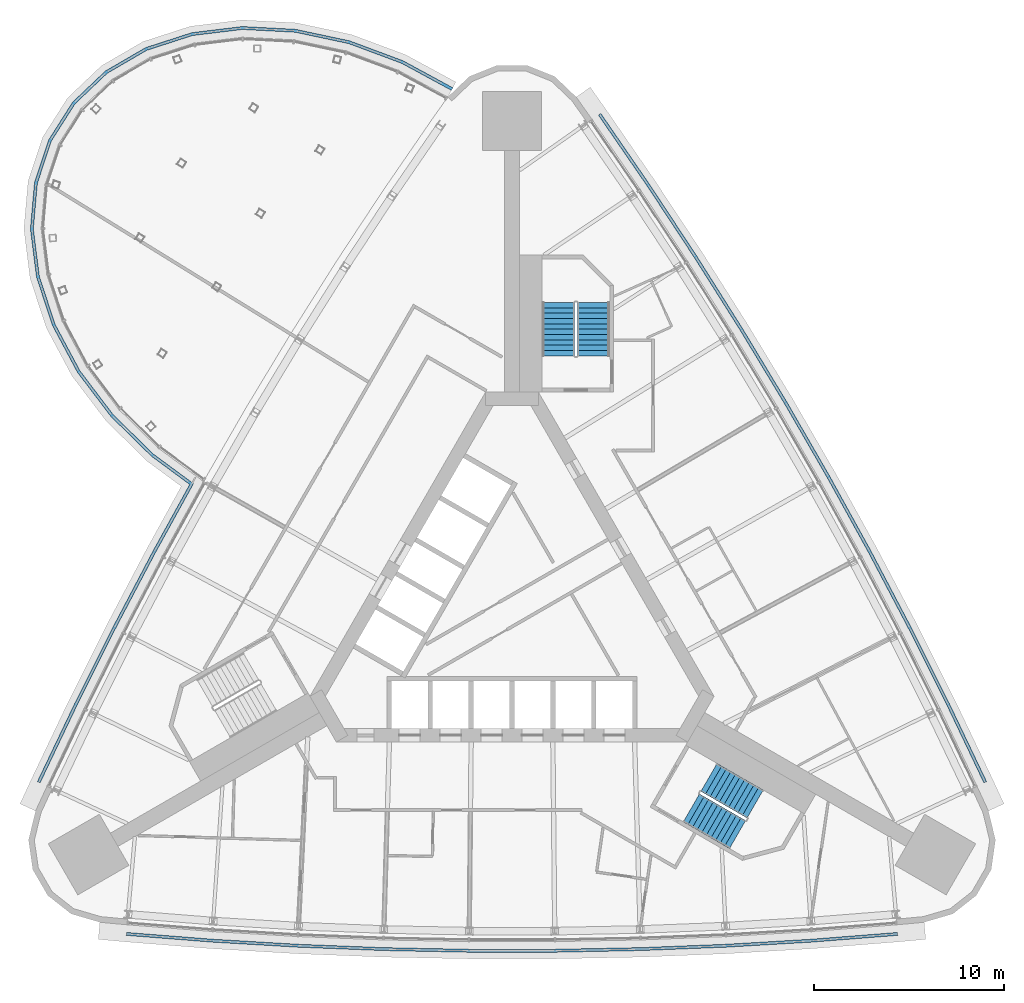
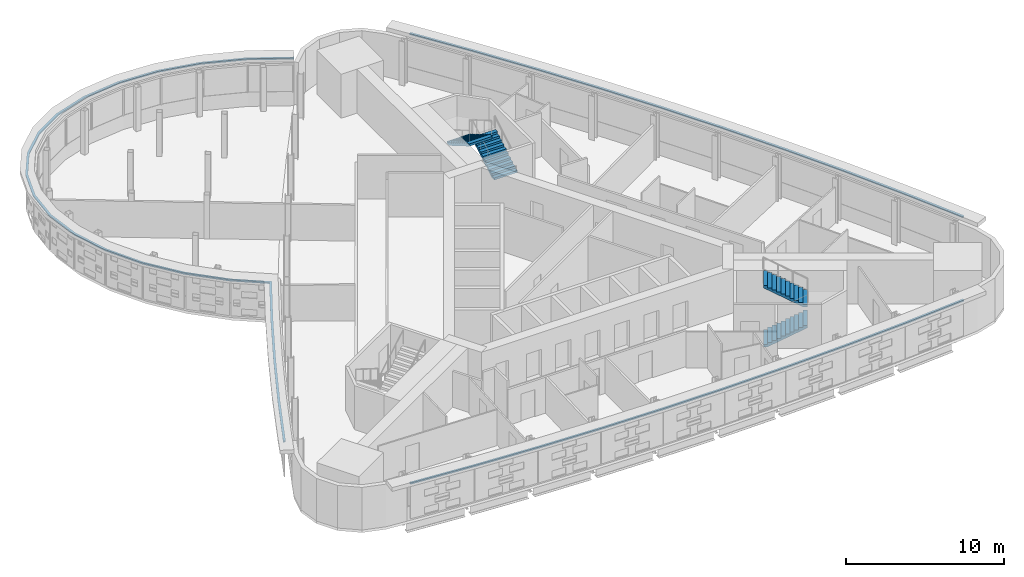
# One storey, part 13 of 16: 4 stair flights, 3 discrete accessories, 2 elements without a shape of their own.
"""IFC4 building model written with IfcOpenShell, lengths in metres."""

import ifcopenshell
import ifcopenshell.guid

model = None  # the IFC model being written
_history = None  # IfcOwnerHistory: only IFC2X3 demands one
_inside = {}  # id of a spatial element -> (the spatial element, [elements in it])
_under = {}  # id of a project, library or spatial element -> (it, [spatial elements below it])
_declared = {}  # id of a project -> (the project, [libraries it declares])
_typed = {}  # id of a type object -> (the type object, [elements of that type])
_made_of = {}  # id of a material, layer set ... -> (it, [elements and type objects made of it])


def new_model(schema):
    """Start an empty IFC model of exactly this schema.

    Asked for "IFC4X3", IfcOpenShell would pick the latest addendum, in which some entities
    have other attributes; the version numbers below select the first issue.
    IFC2X3 requires an IfcOwnerHistory on every rooted entity: one is made here for all.
    """
    global model, _history
    if schema == "IFC4X3":
        model = ifcopenshell.file(schema_version=(4, 3, 0, 0))
    else:
        model = ifcopenshell.file(schema=schema)
    _inside.clear()
    _under.clear()
    _declared.clear()
    _typed.clear()
    _made_of.clear()
    _history = None
    if model.schema == "IFC2X3":
        org = make("IfcOrganization", Name="unknown")
        user = make(
            "IfcPersonAndOrganization",
            ThePerson=make("IfcPerson", FamilyName="unknown"),
            TheOrganization=org,
        )
        app = make(
            "IfcApplication",
            ApplicationDeveloper=org,
            Version="unknown",
            ApplicationFullName="unknown",
            ApplicationIdentifier="unknown",
        )
        _history = make(
            "IfcOwnerHistory",
            OwningUser=user,
            OwningApplication=app,
            ChangeAction="ADDED",
            CreationDate=0,
        )
    return model


def make(cls, **values):
    """One entity of the class cls with the attributes given. An attribute that is None is left unset."""
    return model.create_entity(
        cls, **{name: value for name, value in values.items() if value is not None}
    )


def rooted(cls, **values):
    """An entity with a GlobalId (a new one), such as an element, a storey or a relation."""
    return make(cls, GlobalId=ifcopenshell.guid.new(), OwnerHistory=_history, **values)


def si_unit(unit_type, name, prefix=None):
    """IfcSIUnit, for example si_unit("LENGTHUNIT", "METRE", prefix="MILLI")."""
    return make("IfcSIUnit", UnitType=unit_type, Prefix=prefix, Name=name)


def assignment(units):
    """IfcUnitAssignment: the units of a project."""
    return None if units is None else make("IfcUnitAssignment", Units=units)


def point(xyz):
    """IfcCartesianPoint."""
    return None if xyz is None else make("IfcCartesianPoint", Coordinates=xyz)


def direction(xyz):
    """IfcDirection."""
    return None if xyz is None else make("IfcDirection", DirectionRatios=xyz)


def frame(location, z_axis=None, x_axis=None):
    """IfcAxis2Placement3D, a coordinate frame: its origin and axes. An axis left out is left unset."""
    return make(
        "IfcAxis2Placement3D",
        Location=point(location),
        Axis=direction(z_axis),
        RefDirection=direction(x_axis),
    )


def origin():
    """The frame at (0, 0, 0) with its axes left unset."""
    return frame((0.0, 0.0, 0.0))


def place(relative_to, where):
    """IfcLocalPlacement: puts the frame where relative to a parent placement (None: the world)."""
    return make(
        "IfcLocalPlacement", PlacementRelTo=relative_to, RelativePlacement=where
    )


def context(
    kind, dimensions, precision=None, world=None, true_north=None, identifier=None
):
    """IfcGeometricRepresentationContext, for example the 3D "Model" context."""
    return make(
        "IfcGeometricRepresentationContext",
        ContextIdentifier=identifier,
        ContextType=kind,
        CoordinateSpaceDimension=dimensions,
        Precision=precision,
        WorldCoordinateSystem=world,
        TrueNorth=true_north,
    )


def subcontext(parent, identifier, kind, view, scale=None):
    """IfcGeometricRepresentationSubContext, for example "Body" below "Model"."""
    return make(
        "IfcGeometricRepresentationSubContext",
        ContextIdentifier=identifier,
        ContextType=kind,
        ParentContext=parent,
        TargetScale=scale,
        TargetView=view,
    )


def project(units=None, contexts=None):
    """IfcProject with its units and contexts."""
    return rooted(
        "IfcProject",
        Name="project",
        RepresentationContexts=contexts,
        UnitsInContext=assignment(units),
    )


def spatial(cls, under=None, at=None, **own):
    """A site, building, storey or space (cls), placed at a placement, below another one or the project."""
    s = rooted(cls, ObjectPlacement=at, **own)
    if under is not None:
        _under.setdefault(under.id(), (under, []))[1].append(s)
    return s


def polyline(points):
    """IfcPolyline through the points."""
    return make("IfcPolyline", Points=[point(p) for p in points])


def outline(outer, holes=None, kind="AREA"):
    """IfcArbitraryClosedProfileDef: a profile drawn as a closed curve; with holes, ...WithVoids."""
    if holes is None:
        return make("IfcArbitraryClosedProfileDef", ProfileType=kind, OuterCurve=outer)
    return make(
        "IfcArbitraryProfileDefWithVoids",
        ProfileType=kind,
        OuterCurve=outer,
        InnerCurves=holes,
    )


def extrude(swept, where, along, depth):
    """IfcExtrudedAreaSolid: the profile swept, set in the frame where, extruded along a direction by depth."""
    return make(
        "IfcExtrudedAreaSolid",
        SweptArea=swept,
        Position=where,
        ExtrudedDirection=direction(along),
        Depth=depth,
    )


def shape(context_of_items, identifier, shape_type, items):
    """IfcShapeRepresentation: the items that make up one representation, for example the "Body"."""
    return make(
        "IfcShapeRepresentation",
        ContextOfItems=context_of_items,
        RepresentationIdentifier=identifier,
        RepresentationType=shape_type,
        Items=items,
    )


def material(Name=None, Category=None):
    """IfcMaterial."""
    return make("IfcMaterial", Name=Name, Category=Category)


def made_of(thing, what):
    """Note that an element or type object is made of a material, layer set ...; save() writes the relation."""
    if what is not None:
        _made_of.setdefault(what.id(), (what, []))[1].append(thing)
    return thing


def type_object(cls, material=None, **own):
    """A type object (cls), such as IfcWallType, which elements share."""
    return made_of(rooted(cls, **own), material)


def element(
    cls,
    number,
    at=None,
    inside=None,
    cuts=None,
    type_object=None,
    material=None,
    context=None,
    identifier="Body",
    shape_type=None,
    held_by="IfcProductDefinitionShape",
    body=None,
    shapes=None,
    **own,
):
    """One element of the class cls, such as IfcWall. Its Tag is "e" and its number.

    at: its placement. inside: the storey or other place that contains it. cuts: it is an
    opening in that element (IfcRelVoidsElement). A single representation is given by context,
    identifier, shape_type and body (its items); several are given by shapes. held_by: the class
    of the entity that holds the representations. save() writes the other relations.
    """
    e = rooted(cls, Tag="e%d" % number, ObjectPlacement=at, **own)
    if body is not None:
        shapes = [shape(context, identifier, shape_type, body)]
    if shapes is not None:
        e.Representation = make(held_by, Representations=shapes)
    if inside is not None:
        _inside.setdefault(inside.id(), (inside, []))[1].append(e)
    if cuts is not None:
        rooted(
            "IfcRelVoidsElement", RelatingBuildingElement=cuts, RelatedOpeningElement=e
        )
    if type_object is not None:
        _typed.setdefault(type_object.id(), (type_object, []))[1].append(e)
    return made_of(e, material)


def aggregate(whole, parts):
    """IfcRelAggregates: a whole, such as a stair, and the parts it consists of."""
    return rooted("IfcRelAggregates", RelatingObject=whole, RelatedObjects=parts)


def save(model, path):
    """Write the relations noted so far, then the file.

    IfcRelAggregates (storeys below a building ...), IfcRelContainedInSpatialStructure (elements
    in a storey), IfcRelDefinesByType, IfcRelAssociatesMaterial and IfcRelDeclares: one each for
    every whole, place, type object, material and project.
    """
    for whole, parts in _under.values():
        aggregate(whole, parts)
    for where, things in _inside.values():
        rooted(
            "IfcRelContainedInSpatialStructure",
            RelatedElements=things,
            RelatingStructure=where,
        )
    for kind, things in _typed.values():
        rooted("IfcRelDefinesByType", RelatedObjects=things, RelatingType=kind)
    for what, things in _made_of.values():
        rooted("IfcRelAssociatesMaterial", RelatedObjects=things, RelatingMaterial=what)
    for by, libraries in _declared.values():
        rooted("IfcRelDeclares", RelatingContext=by, RelatedDefinitions=libraries)
    model.write(path)


model = new_model("IFC4")

# Units and contexts
model_context = context("Model", 3, precision=1e-05, world=origin(), true_north=direction((0.0, 1.0)))
body_context = subcontext(model_context, "Body", "Model", "MODEL_VIEW")
ifc_project = project(units=[si_unit("LENGTHUNIT", "METRE"), si_unit("AREAUNIT", "SQUARE_METRE"), si_unit("VOLUMEUNIT", "CUBIC_METRE"), si_unit("PLANEANGLEUNIT", "RADIAN"), si_unit("MASSUNIT", "GRAM", prefix="KILO")], contexts=[model_context])

# Site, building, storey
site_placement = place(None, origin())
site = spatial("IfcSite", under=ifc_project, at=site_placement, CompositionType="ELEMENT")
building_placement = place(site_placement, origin())
building = spatial("IfcBuilding", under=site, at=building_placement, Name="Noor Cloister Tower", CompositionType="ELEMENT")
storey_placement = place(building_placement, frame((0.0, 0.0, 91.5)))
storey = spatial("IfcBuildingStorey", under=building, at=storey_placement, Name="L23", CompositionType="ELEMENT", Elevation=91.5)

# Stair, stair flights
ifc_material_1 = material(Name="Concrete C40/50", Category="concrete")
stair_type = type_object("IfcStairType", Name="Exit stair 22 risers", PredefinedType="HALF_TURN_STAIR", material=ifc_material_1)
stair_1_placement = place(storey_placement, origin())
stair_1 = element("IfcStair", 1, at=stair_1_placement, inside=storey, type_object=stair_type, Name="Exit stair ST1 L23", PredefinedType="HALF_TURN_STAIR")
ifc_material_2 = material(Name="Concrete C40/50", Category="concrete")
stair_flight_type = type_object("IfcStairFlightType", Name="Exit stair flight", PredefinedType="STRAIGHT", material=ifc_material_2)
stair_flight_1_placement = place(storey_placement, frame((4.28564453125, 13.3564453125, 0.0), z_axis=(0.0, 0.0, 1.0), x_axis=(0.0, 1.0, 0.0)))
stair_flight_1 = element("IfcStairFlight", 2, at=stair_flight_1_placement, type_object=stair_flight_type, Name="ST1 flight 1", NumberOfRisers=11, NumberOfTreads=10, PredefinedType="STRAIGHT", RiserHeight=0.163636364, TreadLength=0.28, context=body_context, shape_type="SweptSolid", body=[
    extrude(outline(polyline([(0.0, 0.0), (0.0, 0.16357421875), (0.280029296875, 0.16357421875), (0.280029296875, 0.327392578125), (0.56005859375, 0.327392578125), (0.56005859375, 0.490966796875), (0.840087890625, 0.490966796875), (0.840087890625, 0.654541015625), (1.1201171875, 0.654541015625), (1.1201171875, 0.818115234375), (1.39990234375, 0.818115234375), (1.39990234375, 0.98193359375), (1.679931640625, 0.98193359375), (1.679931640625, 1.1455078125), (1.9599609375, 1.1455078125), (1.9599609375, 1.30908203125), (2.239990234375, 1.30908203125), (2.239990234375, 1.47265625), (2.52001953125, 1.47265625), (2.52001953125, 1.636474609375), (2.800048828125, 1.636474609375), (2.800048828125, 1.800048828125), (2.800048828125, 1.462646484375), (0.297119140625, 0.0), (0.0, 0.0)])), frame((0.0, 0.85009765625, 0.0), z_axis=(0.0, -1.0, 0.0), x_axis=(1.0, 0.0, 0.0)), (0.0, 0.0, 1.0), 1.699951171875),
])
stair_flight_2_placement = place(storey_placement, frame((2.435546875, 16.156494140625, 1.800048828125), z_axis=(0.0, 0.0, 1.0), x_axis=(0.0, -1.0, 0.0)))
stair_flight_2 = element("IfcStairFlight", 3, at=stair_flight_2_placement, type_object=stair_flight_type, Name="ST1 flight 2", NumberOfRisers=11, NumberOfTreads=10, PredefinedType="STRAIGHT", RiserHeight=0.163636364, TreadLength=0.28, context=body_context, shape_type="SweptSolid", body=[
    extrude(outline(polyline([(0.0, 0.0), (0.0, 0.16357421875), (0.280029296875, 0.16357421875), (0.280029296875, 0.327392578125), (0.56005859375, 0.327392578125), (0.56005859375, 0.490966796875), (0.840087890625, 0.490966796875), (0.840087890625, 0.654541015625), (1.1201171875, 0.654541015625), (1.1201171875, 0.818115234375), (1.39990234375, 0.818115234375), (1.39990234375, 0.98193359375), (1.679931640625, 0.98193359375), (1.679931640625, 1.1455078125), (1.9599609375, 1.1455078125), (1.9599609375, 1.30908203125), (2.239990234375, 1.30908203125), (2.239990234375, 1.47265625), (2.52001953125, 1.47265625), (2.52001953125, 1.636474609375), (2.800048828125, 1.636474609375), (2.800048828125, 1.800048828125), (2.800048828125, 1.462646484375), (0.297119140625, 0.0), (0.0, 0.0)])), frame((0.0, 0.85009765625, 0.0), z_axis=(0.0, -1.0, 0.0), x_axis=(1.0, 0.0, 0.0)), (0.0, 0.0, 1.0), 1.699951171875),
])
aggregate(stair_1, [stair_flight_1, stair_flight_2])

stair_2_placement = place(storey_placement, origin())
stair_2 = element("IfcStair", 4, at=stair_2_placement, inside=storey, type_object=stair_type, Name="Exit stair ST3 L23", PredefinedType="HALF_TURN_STAIR")
stair_flight_3_placement = place(storey_placement, frame((9.424072265625, -10.3896484375, 0.0), z_axis=(0.0, 0.0, 1.0), x_axis=(0.866025403784, -0.5, 0.0)))
stair_flight_3 = element("IfcStairFlight", 5, at=stair_flight_3_placement, type_object=stair_flight_type, Name="ST3 flight 1", NumberOfRisers=11, NumberOfTreads=10, PredefinedType="STRAIGHT", RiserHeight=0.163636364, TreadLength=0.28, context=body_context, shape_type="SweptSolid", body=[
    extrude(outline(polyline([(0.0, 0.0), (0.0, 0.16357421875), (0.280029296875, 0.16357421875), (0.280029296875, 0.327392578125), (0.56005859375, 0.327392578125), (0.56005859375, 0.490966796875), (0.840087890625, 0.490966796875), (0.840087890625, 0.654541015625), (1.1201171875, 0.654541015625), (1.1201171875, 0.818115234375), (1.39990234375, 0.818115234375), (1.39990234375, 0.98193359375), (1.679931640625, 0.98193359375), (1.679931640625, 1.1455078125), (1.9599609375, 1.1455078125), (1.9599609375, 1.30908203125), (2.239990234375, 1.30908203125), (2.239990234375, 1.47265625), (2.52001953125, 1.47265625), (2.52001953125, 1.636474609375), (2.800048828125, 1.636474609375), (2.800048828125, 1.800048828125), (2.800048828125, 1.462646484375), (0.297119140625, 0.0), (0.0, 0.0)])), frame((0.0, 0.85009765625, 0.0), z_axis=(0.0, -1.0, 0.0), x_axis=(1.0, 0.0, 0.0)), (0.0, 0.0, 1.0), 1.699951171875),
])
stair_flight_4_placement = place(storey_placement, frame((12.77392578125, -10.1875, 1.800048828125), z_axis=(0.0, 0.0, 1.0), x_axis=(-0.866025403784, 0.5, 0.0)))
stair_flight_4 = element("IfcStairFlight", 6, at=stair_flight_4_placement, type_object=stair_flight_type, Name="ST3 flight 2", NumberOfRisers=11, NumberOfTreads=10, PredefinedType="STRAIGHT", RiserHeight=0.163636364, TreadLength=0.28, context=body_context, shape_type="SweptSolid", body=[
    extrude(outline(polyline([(0.0, 0.0), (0.0, 0.16357421875), (0.280029296875, 0.16357421875), (0.280029296875, 0.327392578125), (0.56005859375, 0.327392578125), (0.56005859375, 0.490966796875), (0.840087890625, 0.490966796875), (0.840087890625, 0.654541015625), (1.1201171875, 0.654541015625), (1.1201171875, 0.818115234375), (1.39990234375, 0.818115234375), (1.39990234375, 0.98193359375), (1.679931640625, 0.98193359375), (1.679931640625, 1.1455078125), (1.9599609375, 1.1455078125), (1.9599609375, 1.30908203125), (2.239990234375, 1.30908203125), (2.239990234375, 1.47265625), (2.52001953125, 1.47265625), (2.52001953125, 1.636474609375), (2.800048828125, 1.636474609375), (2.800048828125, 1.800048828125), (2.800048828125, 1.462646484375), (0.297119140625, 0.0), (0.0, 0.0)])), frame((0.0, 0.85009765625, 0.0), z_axis=(0.0, -1.0, 0.0), x_axis=(1.0, 0.0, 0.0)), (0.0, 0.0, 1.0), 1.699951171875),
])
aggregate(stair_2, [stair_flight_3, stair_flight_4])

# Discrete accessories
ifc_material_3 = material(Name="Stainless steel grade 316", Category="steel")
discrete_accessory_type = type_object("IfcDiscreteAccessoryType", Name="Stainless hanger rail", PredefinedType="BRACKET", material=ifc_material_3)
discrete_accessory_1_placement = place(storey_placement, frame((0.0, 0.0, 3.199951171875)))
element("IfcDiscreteAccessory", 7, at=discrete_accessory_1_placement, inside=storey, type_object=discrete_accessory_type, Name="Hanger rail L23", PredefinedType="BRACKET", context=body_context, shape_type="SweptSolid", body=[
    extrude(outline(polyline([(-3.108642578125, 27.44482421875), (-5.73388671875, 28.86865234375), (-8.5302734375, 29.91015625), (-11.372314453125, 30.514892578125), (-14.1669921875, 30.66064453125), (-16.82275390625, 30.33837890625), (-19.249755859375, 29.552734375), (-21.362548828125, 28.324462890625), (-23.081787109375, 26.69140625), (-24.33984375, 24.711669921875), (-25.088134765625, 22.461669921875), (-25.30322265625, 20.027099609375), (-24.983642578125, 17.496337890625), (-24.147705078125, 14.955078125), (-22.8291015625, 12.48681640625), (-21.074462890625, 10.170654296875), (-18.944091796875, 8.0810546875), (-16.935546875, 6.600341796875), (-18.8740234375, 3.084716796875), (-20.973876953125, -0.90771484375), (-22.994873046875, -4.940673828125), (-24.933837890625, -9.007568359375), (-24.789306640625, -9.076416015625), (-22.85107421875, -5.0107421875), (-20.83154296875, -0.980712890625), (-18.733154296875, 3.0087890625), (-16.7275390625, 6.645751953125), (-18.840087890625, 8.203125), (-20.9541015625, 10.276611328125), (-22.69384765625, 12.5732421875), (-24.000244140625, 15.018310546875), (-24.826904296875, 17.531494140625), (-25.142333984375, 20.0302734375), (-24.930419921875, 22.428955078125), (-24.194091796875, 24.642578125), (-22.957275390625, 26.5888671875), (-21.265869140625, 28.195556640625), (-19.18408203125, 29.40576171875), (-16.7880859375, 30.181396484375), (-14.16162109375, 30.500244140625), (-11.39306640625, 30.355712890625), (-8.574951171875, 29.756103515625), (-5.80029296875, 28.72265625), (-3.184814453125, 27.30419921875), (-3.108642578125, 27.44482421875)])), origin(), (0.0, 0.0, 1.0), 0.10009765625),
])
discrete_accessory_2_placement = place(storey_placement, frame((0.0, 0.0, 3.199951171875)))
element("IfcDiscreteAccessory", 8, at=discrete_accessory_2_placement, inside=storey, type_object=discrete_accessory_type, Name="Hanger rail L23", PredefinedType="BRACKET", context=body_context, shape_type="SweptSolid", body=[
    extrude(outline(polyline([(-20.267578125, -17.089599609375), (-15.776123046875, -17.44384765625), (-11.27294921875, -17.710205078125), (-6.765625, -17.8876953125), (-2.25537109375, -17.976318359375), (2.25537109375, -17.976318359375), (6.765625, -17.8876953125), (11.27294921875, -17.710205078125), (15.776123046875, -17.44384765625), (20.267578125, -17.089599609375), (20.2548828125, -16.929931640625), (15.76513671875, -17.2841796875), (11.26513671875, -17.55029296875), (6.7607421875, -17.727783203125), (2.25390625, -17.81640625), (-2.25390625, -17.81640625), (-6.7607421875, -17.727783203125), (-11.26513671875, -17.55029296875), (-15.76513671875, -17.2841796875), (-20.2548828125, -16.929931640625), (-20.267578125, -17.089599609375)])), origin(), (0.0, 0.0, 1.0), 0.10009765625),
])
discrete_accessory_3_placement = place(storey_placement, frame((0.0, 0.0, 3.199951171875)))
element("IfcDiscreteAccessory", 9, at=discrete_accessory_3_placement, inside=storey, type_object=discrete_accessory_type, Name="Hanger rail L23", PredefinedType="BRACKET", context=body_context, shape_type="SweptSolid", body=[
    extrude(outline(polyline([(24.933837890625, -9.007568359375), (22.994873046875, -4.940673828125), (20.973876953125, -0.90771484375), (18.8740234375, 3.084716796875), (16.69580078125, 7.034912109375), (14.440185546875, 10.94140625), (12.1083984375, 14.802978515625), (9.700927734375, 18.61767578125), (7.21875, 22.384521484375), (4.666259765625, 26.096923828125), (4.534423828125, 26.00634765625), (7.086181640625, 22.295166015625), (9.56640625, 18.531005859375), (11.97216796875, 14.718994140625), (14.302490234375, 10.860107421875), (16.556396484375, 6.956298828125), (18.733154296875, 3.0087890625), (20.83154296875, -0.980712890625), (22.85107421875, -5.0107421875), (24.789306640625, -9.076416015625), (24.933837890625, -9.007568359375)])), origin(), (0.0, 0.0, 1.0), 0.10009765625),
])

save(model, "model.ifc")
